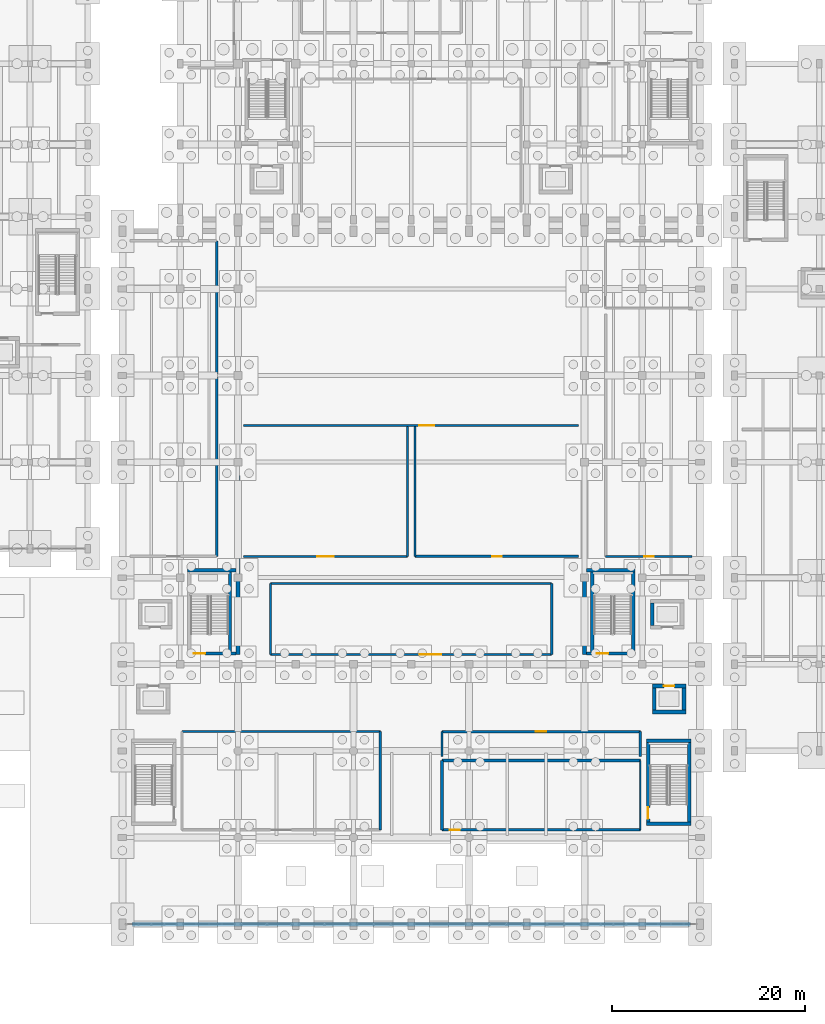
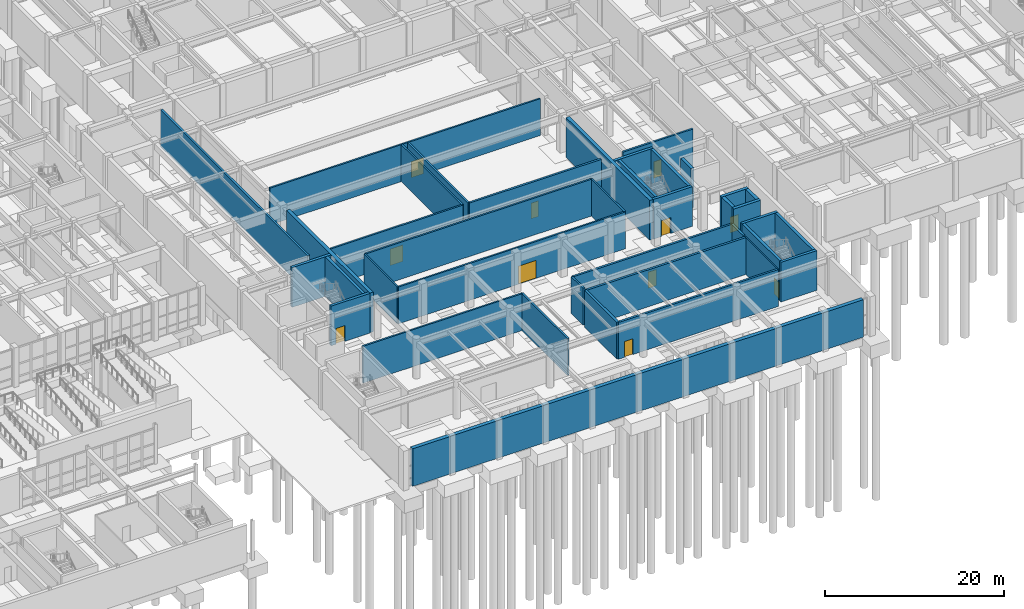
# One storey, part 49 of 69: 39 walls, 11 doors, 11 openings.
"""IFC4 building model written with IfcOpenShell, lengths in metres."""

from ifc_helpers import new_model, si_unit, direction, frame, frame_2d, origin, place, context, subcontext, project, spatial, rectangle, extrude, material, layer, layer_set, type_object, element, fill, save


model = new_model("IFC4")

# Units and contexts
model_context = context("Model", 3, precision=1e-05, world=origin(), true_north=direction((0.0, 1.0)))
body_context = subcontext(model_context, "Body", "Model", "MODEL_VIEW")
ifc_project = project(units=[si_unit("LENGTHUNIT", "METRE"), si_unit("AREAUNIT", "SQUARE_METRE"), si_unit("VOLUMEUNIT", "CUBIC_METRE"), si_unit("PLANEANGLEUNIT", "RADIAN"), si_unit("MASSUNIT", "GRAM", prefix="KILO")], contexts=[model_context])

# Site, building, storey
site_placement = place(None, origin())
site = spatial("IfcSite", under=ifc_project, at=site_placement, CompositionType="ELEMENT")
building_placement = place(site_placement, origin())
building = spatial("IfcBuilding", under=site, at=building_placement, Name="Vaelkrest Opera House", CompositionType="ELEMENT")
storey_placement = place(building_placement, frame((0.0, 0.0, -5.39990234375)))
storey = spatial("IfcBuildingStorey", under=building, at=storey_placement, Name="B1", CompositionType="ELEMENT", Elevation=-5.39990234375)

# Wall, opening, door
ifc_material_1 = material(Name="American black walnut acoustic timber", Category="wood")
ifc_layer_1 = layer(ifc_material_1, 0.2099609375)
ifc_layer_set_1 = layer_set([ifc_layer_1], Name="American black walnut acoustic timber")
wall_type_1 = type_object("IfcWallType", Name="PT07", PredefinedType="PARTITIONING", material=ifc_layer_set_1)
wall_1_placement = place(storey_placement, frame((-17.39990234375, -4.0, 0.0), z_axis=(0.0, 0.0, 1.0), x_axis=(1.0, 0.0, 0.0)))
wall_1 = element("IfcWall", 1, at=wall_1_placement, inside=storey, type_object=wall_type_1, Name="Interior partition PT-V1-B1-0001", PredefinedType="PARTITIONING", context=body_context, shape_type="SweptSolid", body=[
    extrude(rectangle(XDim=34.7998046875, YDim=0.2099609375, at=frame_2d((17.39990234375, 0.0))), origin(), (0.0, 0.0, 1.0), 5.02001953125),
])
opening_1_placement = place(wall_1_placement, frame((18.261962890625, 0.0, 0.0)))
opening_1 = element("IfcOpeningElement", 2, at=opening_1_placement, cuts=wall_1, Name="Opening D001", PredefinedType="OPENING", context=body_context, shape_type="SweptSolid", body=[
    extrude(rectangle(XDim=1.550048828125, YDim=2.199951171875, at=frame_2d((0.77490234375, 1.10009765625))), frame((0.0, 0.114990234375, 0.0), z_axis=(0.0, -1.0, 0.0), x_axis=(1.0, 0.0, 0.0)), (0.0, 0.0, 1.0), 0.22998046875),
])
door_type_1 = type_object("IfcDoorType", Name="DT13", OperationType="DOUBLE_DOOR_SINGLE_SWING", PredefinedType="DOOR", material=ifc_material_1)
door_1_placement = place(opening_1_placement, origin())
door_1 = element("IfcDoor", 3, at=door_1_placement, inside=storey, type_object=door_type_1, Name="Interior door D001 (Orchestra Pit)", OperationType="DOUBLE_DOOR_SINGLE_SWING", OverallHeight=2.199951171875, OverallWidth=1.550048828125, PredefinedType="DOOR", context=body_context, shape_type="SweptSolid", body=[
    extrude(rectangle(XDim=1.550048828125, YDim=2.199951171875, at=frame_2d((0.77490234375, 1.10009765625))), frame((0.0, 0.02490234375, 0.0), z_axis=(0.0, -1.0, 0.0), x_axis=(1.0, 0.0, 0.0)), (0.0, 0.0, 1.0), 0.050048828125),
])
fill(opening_1, door_1)

# Walls
wall_2_placement = place(storey_placement, frame((-0.39990234375, -17.60009765625, 0.0), z_axis=(0.0, 0.0, 1.0), x_axis=(0.0, 1.0, 0.0)))
element("IfcWall", 4, at=wall_2_placement, inside=storey, type_object=wall_type_1, Name="Interior partition PT-V1-B1-0003", PredefinedType="PARTITIONING", context=body_context, shape_type="SweptSolid", body=[
    extrude(rectangle(XDim=13.52001953125, YDim=0.2099609375, at=frame_2d((6.760009765625, 0.0))), origin(), (0.0, 0.0, 1.0), 5.02001953125),
])
wall_3_placement = place(storey_placement, frame((-23.800048828125, -35.800048828125, 0.0), z_axis=(0.0, 0.0, 1.0), x_axis=(1.0, 0.0, 0.0)))
element("IfcWall", 5, at=wall_3_placement, inside=storey, type_object=wall_type_1, Name="Interior partition PT-V1-B1-0007", PredefinedType="PARTITIONING", context=body_context, shape_type="SweptSolid", body=[
    extrude(rectangle(XDim=20.60009765625, YDim=0.2099609375, at=frame_2d((10.300048828125, 0.0))), origin(), (0.0, 0.0, 1.0), 5.02001953125),
])

# Wall, opening, door
wall_4_placement = place(storey_placement, frame((-14.60009765625, -27.800048828125, 0.0), z_axis=(0.0, 0.0, 1.0), x_axis=(1.0, 0.0, 0.0)))
wall_4 = element("IfcWall", 6, at=wall_4_placement, inside=storey, type_object=wall_type_1, Name="Interior partition PT-V1-B1-0025", PredefinedType="PARTITIONING", context=body_context, shape_type="SweptSolid", body=[
    extrude(rectangle(XDim=29.2001953125, YDim=0.2099609375, at=frame_2d((14.60009765625, 0.0))), origin(), (0.0, 0.0, 1.0), 5.02001953125),
])
opening_2_placement = place(wall_4_placement, frame((15.47509765625, 0.0, 0.0)))
opening_2 = element("IfcOpeningElement", 7, at=opening_2_placement, cuts=wall_4, Name="Opening D010", PredefinedType="OPENING", context=body_context, shape_type="SweptSolid", body=[
    extrude(rectangle(XDim=2.25, YDim=2.449951171875, at=frame_2d((1.125, 1.22509765625))), frame((0.0, 0.114990234375, 0.0), z_axis=(0.0, -1.0, 0.0), x_axis=(1.0, 0.0, 0.0)), (0.0, 0.0, 1.0), 0.22998046875),
])
door_type_2 = type_object("IfcDoorType", Name="DT26", OperationType="DOUBLE_DOOR_SINGLE_SWING", PredefinedType="DOOR", material=ifc_material_1)
door_2_placement = place(opening_2_placement, origin())
door_2 = element("IfcDoor", 8, at=door_2_placement, inside=storey, type_object=door_type_2, Name="Interior door D010 (Chorus Warm-Up Studio)", OperationType="DOUBLE_DOOR_SINGLE_SWING", OverallHeight=2.449951171875, OverallWidth=2.25, PredefinedType="DOOR", context=body_context, shape_type="SweptSolid", body=[
    extrude(rectangle(XDim=2.25, YDim=2.449951171875, at=frame_2d((1.125, 1.22509765625))), frame((0.0, 0.02490234375, 0.0), z_axis=(0.0, -1.0, 0.0), x_axis=(1.0, 0.0, 0.0)), (0.0, 0.0, 1.0), 0.050048828125),
])
fill(opening_2, door_2)

# Wall
wall_5_placement = place(storey_placement, frame((-14.60009765625, -27.800048828125, 0.0), z_axis=(0.0, 0.0, 1.0), x_axis=(0.0, 1.0, 0.0)))
element("IfcWall", 9, at=wall_5_placement, inside=storey, type_object=wall_type_1, Name="Interior partition PT-V1-B1-0027", PredefinedType="PARTITIONING", context=body_context, shape_type="SweptSolid", body=[
    extrude(rectangle(XDim=7.400146484375, YDim=0.2099609375, at=frame_2d((3.7001953125, 0.0))), origin(), (0.0, 0.0, 1.0), 5.02001953125),
])

# Wall, opening, door
ifc_layer_2 = layer(ifc_material_1, 0.22509765625)
ifc_layer_set_2 = layer_set([ifc_layer_2], Name="American black walnut acoustic timber")
wall_type_2 = type_object("IfcWallType", Name="PT08", PredefinedType="PARTITIONING", material=ifc_layer_set_2)
wall_6_placement = place(storey_placement, frame((-17.39990234375, -17.60009765625, 0.0), z_axis=(0.0, 0.0, 1.0), x_axis=(1.0, 0.0, 0.0)))
wall_6 = element("IfcWall", 10, at=wall_6_placement, inside=storey, type_object=wall_type_2, Name="Interior partition PT-V1-B1-0002", PredefinedType="PARTITIONING", context=body_context, shape_type="SweptSolid", body=[
    extrude(rectangle(XDim=17.0, YDim=0.22509765625, at=frame_2d((8.5, 0.0))), origin(), (0.0, 0.0, 1.0), 5.02001953125),
])
opening_3_placement = place(wall_6_placement, frame((7.64990234375, 0.0, 0.0)))
opening_3 = element("IfcOpeningElement", 11, at=opening_3_placement, cuts=wall_6, Name="Opening D002", PredefinedType="OPENING", context=body_context, shape_type="SweptSolid", body=[
    extrude(rectangle(XDim=1.699951171875, YDim=2.25, at=frame_2d((0.85009765625, 1.125))), frame((0.0, 0.12255859375, 0.0), z_axis=(0.0, -1.0, 0.0), x_axis=(1.0, 0.0, 0.0)), (0.0, 0.0, 1.0), 0.2451171875),
])
door_type_3 = type_object("IfcDoorType", Name="DT14", OperationType="DOUBLE_DOOR_SINGLE_SWING", PredefinedType="DOOR", material=ifc_material_1)
door_3_placement = place(opening_3_placement, origin())
door_3 = element("IfcDoor", 12, at=door_3_placement, inside=storey, type_object=door_type_3, Name="Interior door D002 (Musician Warm-Up Room)", OperationType="DOUBLE_DOOR_SINGLE_SWING", OverallHeight=2.25, OverallWidth=1.699951171875, PredefinedType="DOOR", context=body_context, shape_type="SweptSolid", body=[
    extrude(rectangle(XDim=1.699951171875, YDim=2.25, at=frame_2d((0.85009765625, 1.125))), frame((0.0, 0.02490234375, 0.0), z_axis=(0.0, -1.0, 0.0), x_axis=(1.0, 0.0, 0.0)), (0.0, 0.0, 1.0), 0.050048828125),
])
fill(opening_3, door_3)

# Walls
wall_7_placement = place(storey_placement, frame((-14.60009765625, -20.39990234375, 0.0), z_axis=(0.0, 0.0, 1.0), x_axis=(1.0, 0.0, 0.0)))
element("IfcWall", 13, at=wall_7_placement, inside=storey, type_object=wall_type_2, Name="Interior partition PT-V1-B1-0026", PredefinedType="PARTITIONING", context=body_context, shape_type="SweptSolid", body=[
    extrude(rectangle(XDim=29.2001953125, YDim=0.22509765625, at=frame_2d((14.60009765625, 0.0))), origin(), (0.0, 0.0, 1.0), 5.02001953125),
])
wall_8_placement = place(storey_placement, frame((14.60009765625, -27.800048828125, 0.0), z_axis=(0.0, 0.0, 1.0), x_axis=(0.0, 1.0, 0.0)))
element("IfcWall", 14, at=wall_8_placement, inside=storey, type_object=wall_type_2, Name="Interior partition PT-V1-B1-0028", PredefinedType="PARTITIONING", context=body_context, shape_type="SweptSolid", body=[
    extrude(rectangle(XDim=7.400146484375, YDim=0.22509765625, at=frame_2d((3.7001953125, 0.0))), origin(), (0.0, 0.0, 1.0), 5.02001953125),
])
ifc_material_2 = material(Name="Concrete C40/50", Category="concrete")
ifc_layer_3 = layer(ifc_material_2, 0.239990234375)
ifc_layer_set_3 = layer_set([ifc_layer_3], Name="Concrete C40/50")
wall_type_3 = type_object("IfcWallType", Name="PT09", PredefinedType="PARTITIONING", material=ifc_layer_set_3)
wall_9_placement = place(storey_placement, frame((0.39990234375, -17.60009765625, 0.0), z_axis=(0.0, 0.0, 1.0), x_axis=(0.0, 1.0, 0.0)))
element("IfcWall", 15, at=wall_9_placement, inside=storey, type_object=wall_type_3, Name="Interior partition PT-V1-B1-0005", PredefinedType="PARTITIONING", context=body_context, shape_type="SweptSolid", body=[
    extrude(rectangle(XDim=13.52001953125, YDim=0.239990234375, at=frame_2d((6.760009765625, 0.0))), origin(), (0.0, 0.0, 1.0), 5.02001953125),
])
wall_10_placement = place(storey_placement, frame((-3.199951171875, -46.0, 0.0), z_axis=(0.0, 0.0, 1.0), x_axis=(0.0, 1.0, 0.0)))
element("IfcWall", 16, at=wall_10_placement, inside=storey, type_object=wall_type_3, Name="Interior partition PT-V1-B1-0009", PredefinedType="PARTITIONING", context=body_context, shape_type="SweptSolid", body=[
    extrude(rectangle(XDim=10.199951171875, YDim=0.239990234375, at=frame_2d((5.10009765625, 0.0))), origin(), (0.0, 0.0, 1.0), 5.02001953125),
])
wall_11_placement = place(storey_placement, frame((3.199951171875, -38.39990234375, 0.0), z_axis=(0.0, 0.0, 1.0), x_axis=(0.0, 1.0, 0.0)))
element("IfcWall", 17, at=wall_11_placement, inside=storey, type_object=wall_type_3, Name="Interior partition PT-V1-B1-0015", PredefinedType="PARTITIONING", context=body_context, shape_type="SweptSolid", body=[
    extrude(rectangle(XDim=2.599853515625, YDim=0.239990234375, at=frame_2d((1.2998046875, 0.0))), origin(), (0.0, 0.0, 1.0), 5.02001953125),
])

# Wall, opening, door
wall_12_placement = place(storey_placement, frame((20.199951171875, -17.60009765625, 0.0), z_axis=(0.0, 0.0, 1.0), x_axis=(1.0, 0.0, 0.0)))
wall_12 = element("IfcWall", 18, at=wall_12_placement, inside=storey, type_object=wall_type_3, Name="Interior partition PT-V1-B1-0023", PredefinedType="PARTITIONING", context=body_context, shape_type="SweptSolid", body=[
    extrude(rectangle(XDim=9.0, YDim=0.239990234375, at=frame_2d((4.5, 0.0))), origin(), (0.0, 0.0, 1.0), 5.02001953125),
])
opening_4_placement = place(wall_12_placement, frame((4.0, 0.0, 0.0)))
opening_4 = element("IfcOpeningElement", 19, at=opening_4_placement, cuts=wall_12, Name="Opening D009", PredefinedType="OPENING", context=body_context, shape_type="SweptSolid", body=[
    extrude(rectangle(XDim=1.0, YDim=2.25, at=frame_2d((0.5, 1.125))), frame((0.0, 0.1298828125, 0.0), z_axis=(0.0, -1.0, 0.0), x_axis=(1.0, 0.0, 0.0)), (0.0, 0.0, 1.0), 0.260009765625),
])
door_type_4 = type_object("IfcDoorType", Name="DT10", OperationType="NOTDEFINED", PredefinedType="DOOR", material=ifc_material_1)
door_4_placement = place(opening_4_placement, origin())
door_4 = element("IfcDoor", 20, at=door_4_placement, inside=storey, type_object=door_type_4, Name="Interior door D009 (Prop Store)", OperationType="SINGLE_SWING_RIGHT", OverallHeight=2.25, OverallWidth=1.0, PredefinedType="DOOR", context=body_context, shape_type="SweptSolid", body=[
    extrude(rectangle(XDim=1.0, YDim=2.25, at=frame_2d((0.5, 1.125))), frame((0.0, 0.02490234375, 0.0), z_axis=(0.0, -1.0, 0.0), x_axis=(1.0, 0.0, 0.0)), (0.0, 0.0, 1.0), 0.050048828125),
])
fill(opening_4, door_4)

ifc_layer_4 = layer(ifc_material_2, 0.260009765625)
ifc_layer_set_4 = layer_set([ifc_layer_4], Name="Concrete C40/50")
wall_type_4 = type_object("IfcWallType", Name="PT10", PredefinedType="PARTITIONING", material=ifc_layer_set_4)
wall_13_placement = place(storey_placement, frame((0.39990234375, -17.60009765625, 0.0), z_axis=(0.0, 0.0, 1.0), x_axis=(1.0, 0.0, 0.0)))
wall_13 = element("IfcWall", 21, at=wall_13_placement, inside=storey, type_object=wall_type_4, Name="Interior partition PT-V1-B1-0004", PredefinedType="PARTITIONING", context=body_context, shape_type="SweptSolid", body=[
    extrude(rectangle(XDim=17.0, YDim=0.260009765625, at=frame_2d((8.5, 0.0))), origin(), (0.0, 0.0, 1.0), 5.02001953125),
])
opening_5_placement = place(wall_13_placement, frame((8.010009765625, 0.0, 0.0)))
opening_5 = element("IfcOpeningElement", 22, at=opening_5_placement, cuts=wall_13, Name="Opening D003", PredefinedType="OPENING", context=body_context, shape_type="SweptSolid", body=[
    extrude(rectangle(XDim=0.97998046875, YDim=2.14990234375, at=frame_2d((0.489990234375, 1.074951171875))), frame((0.0, 0.139892578125, 0.0), z_axis=(0.0, -1.0, 0.0), x_axis=(1.0, 0.0, 0.0)), (0.0, 0.0, 1.0), 0.280029296875),
])
door_type_5 = type_object("IfcDoorType", Name="DT03", OperationType="NOTDEFINED", PredefinedType="DOOR", material=ifc_material_1)
door_5_placement = place(opening_5_placement, origin())
door_5 = element("IfcDoor", 23, at=door_5_placement, inside=storey, type_object=door_type_5, Name="Interior door D003 (Instrument Store)", OperationType="SINGLE_SWING_LEFT", OverallHeight=2.14990234375, OverallWidth=0.97998046875, PredefinedType="DOOR", context=body_context, shape_type="SweptSolid", body=[
    extrude(rectangle(XDim=0.97998046875, YDim=2.14990234375, at=frame_2d((0.489990234375, 1.074951171875))), frame((0.0, 0.02490234375, 0.0), z_axis=(0.0, -1.0, 0.0), x_axis=(1.0, 0.0, 0.0)), (0.0, 0.0, 1.0), 0.050048828125),
])
fill(opening_5, door_5)

wall_14_placement = place(storey_placement, frame((3.199951171875, -46.0, 0.0), z_axis=(0.0, 0.0, 1.0), x_axis=(1.0, 0.0, 0.0)))
wall_14 = element("IfcWall", 24, at=wall_14_placement, inside=storey, type_object=wall_type_4, Name="Interior partition PT-V1-B1-0010", PredefinedType="PARTITIONING", context=body_context, shape_type="SweptSolid", body=[
    extrude(rectangle(XDim=20.60009765625, YDim=0.260009765625, at=frame_2d((10.300048828125, 0.0))), origin(), (0.0, 0.0, 1.0), 5.02001953125),
])
opening_6_placement = place(wall_14_placement, frame((0.7939453125, 0.0, 0.0)))
opening_6 = element("IfcOpeningElement", 25, at=opening_6_placement, cuts=wall_14, Name="Opening D005", PredefinedType="OPENING", context=body_context, shape_type="SweptSolid", body=[
    extrude(rectangle(XDim=1.06005859375, YDim=2.14990234375, at=frame_2d((0.530029296875, 1.074951171875))), frame((0.0, 0.139892578125, 0.0), z_axis=(0.0, -1.0, 0.0), x_axis=(1.0, 0.0, 0.0)), (0.0, 0.0, 1.0), 0.280029296875),
])
door_type_6 = type_object("IfcDoorType", Name="DT05", OperationType="NOTDEFINED", PredefinedType="DOOR", material=ifc_material_1)
door_6_placement = place(opening_6_placement, origin())
door_6 = element("IfcDoor", 26, at=door_6_placement, inside=storey, type_object=door_type_6, Name="Interior door D005 (Cloakroom)", OperationType="SINGLE_SWING_RIGHT", OverallHeight=2.14990234375, OverallWidth=1.06005859375, PredefinedType="DOOR", context=body_context, shape_type="SweptSolid", body=[
    extrude(rectangle(XDim=1.06005859375, YDim=2.14990234375, at=frame_2d((0.530029296875, 1.074951171875))), frame((0.0, 0.02490234375, 0.0), z_axis=(0.0, -1.0, 0.0), x_axis=(1.0, 0.0, 0.0)), (0.0, 0.0, 1.0), 0.050048828125),
])
fill(opening_6, door_6)

wall_15_placement = place(storey_placement, frame((3.199951171875, -35.800048828125, 0.0), z_axis=(0.0, 0.0, 1.0), x_axis=(1.0, 0.0, 0.0)))
wall_15 = element("IfcWall", 27, at=wall_15_placement, inside=storey, type_object=wall_type_4, Name="Interior partition PT-V1-B1-0014", PredefinedType="PARTITIONING", context=body_context, shape_type="SweptSolid", body=[
    extrude(rectangle(XDim=20.60009765625, YDim=0.260009765625, at=frame_2d((10.300048828125, 0.0))), origin(), (0.0, 0.0, 1.0), 5.02001953125),
])
opening_7_placement = place(wall_15_placement, frame((9.75, 0.0, 0.0)))
opening_7 = element("IfcOpeningElement", 28, at=opening_7_placement, cuts=wall_15, Name="Opening D006", PredefinedType="OPENING", context=body_context, shape_type="SweptSolid", body=[
    extrude(rectangle(XDim=1.10009765625, YDim=2.199951171875, at=frame_2d((0.550048828125, 1.10009765625))), frame((0.0, 0.139892578125, 0.0), z_axis=(0.0, -1.0, 0.0), x_axis=(1.0, 0.0, 0.0)), (0.0, 0.0, 1.0), 0.280029296875),
])
door_type_7 = type_object("IfcDoorType", Name="DT06", OperationType="NOTDEFINED", PredefinedType="DOOR", material=ifc_material_1)
door_7_placement = place(opening_7_placement, origin())
door_7 = element("IfcDoor", 29, at=door_7_placement, inside=storey, type_object=door_type_7, Name="Interior door D006 (MEP Plant Room)", OperationType="SINGLE_SWING_LEFT", OverallHeight=2.199951171875, OverallWidth=1.10009765625, PredefinedType="DOOR", context=body_context, shape_type="SweptSolid", body=[
    extrude(rectangle(XDim=1.10009765625, YDim=2.199951171875, at=frame_2d((0.550048828125, 1.10009765625))), frame((0.0, 0.02490234375, 0.0), z_axis=(0.0, -1.0, 0.0), x_axis=(1.0, 0.0, 0.0)), (0.0, 0.0, 1.0), 0.050048828125),
])
fill(opening_7, door_7)

# Walls
wall_16_placement = place(storey_placement, frame((23.800048828125, -38.39990234375, 0.0), z_axis=(0.0, 0.0, 1.0), x_axis=(0.0, 1.0, 0.0)))
element("IfcWall", 30, at=wall_16_placement, inside=storey, type_object=wall_type_4, Name="Interior partition PT-V1-B1-0016", PredefinedType="PARTITIONING", context=body_context, shape_type="SweptSolid", body=[
    extrude(rectangle(XDim=2.599853515625, YDim=0.260009765625, at=frame_2d((1.2998046875, 0.0))), origin(), (0.0, 0.0, 1.0), 5.02001953125),
])
wall_17_placement = place(storey_placement, frame((-20.199951171875, -17.60009765625, 0.0), z_axis=(0.0, 0.0, 1.0), x_axis=(0.0, 1.0, 0.0)))
element("IfcWall", 31, at=wall_17_placement, inside=storey, type_object=wall_type_4, Name="Interior partition PT-V1-B1-0022", PredefinedType="PARTITIONING", context=body_context, shape_type="SweptSolid", body=[
    extrude(rectangle(XDim=32.800048828125, YDim=0.260009765625, at=frame_2d((16.39990234375, 0.0))), origin(), (0.0, 0.0, 1.0), 5.02001953125),
])
ifc_layer_5 = layer(ifc_material_2, 0.280029296875)
ifc_layer_set_5 = layer_set([ifc_layer_5], Name="Concrete C40/50")
wall_type_5 = type_object("IfcWallType", Name="PT11", PredefinedType="PARTITIONING", material=ifc_layer_set_5)
wall_18_placement = place(storey_placement, frame((3.199951171875, -38.800048828125, 0.0), z_axis=(0.0, 0.0, 1.0), x_axis=(1.0, 0.0, 0.0)))
element("IfcWall", 32, at=wall_18_placement, inside=storey, type_object=wall_type_5, Name="Interior partition PT-V1-B1-0011", PredefinedType="PARTITIONING", context=body_context, shape_type="SweptSolid", body=[
    extrude(rectangle(XDim=20.60009765625, YDim=0.280029296875, at=frame_2d((10.300048828125, 0.0))), origin(), (0.0, 0.0, 1.0), 5.02001953125),
])
ifc_layer_6 = layer(ifc_material_2, 0.304931640625)
ifc_layer_set_6 = layer_set([ifc_layer_6], Name="Concrete C40/50")
wall_type_6 = type_object("IfcWallType", Name="PT12", PredefinedType="PARTITIONING", material=ifc_layer_set_6)
wall_19_placement = place(storey_placement, frame((3.199951171875, -46.0, 0.0), z_axis=(0.0, 0.0, 1.0), x_axis=(0.0, 1.0, 0.0)))
element("IfcWall", 33, at=wall_19_placement, inside=storey, type_object=wall_type_6, Name="Interior partition PT-V1-B1-0012", PredefinedType="PARTITIONING", context=body_context, shape_type="SweptSolid", body=[
    extrude(rectangle(XDim=7.199951171875, YDim=0.304931640625, at=frame_2d((3.60009765625, 0.0))), origin(), (0.0, 0.0, 1.0), 5.02001953125),
])
ifc_material_3 = material(Name="Gypsum acoustic board", Category="gypsum")
ifc_layer_7 = layer(ifc_material_3, 0.14501953125)
ifc_layer_set_7 = layer_set([ifc_layer_7], Name="Gypsum acoustic board")
wall_type_7 = type_object("IfcWallType", Name="PT13", PredefinedType="PARTITIONING", material=ifc_layer_set_7)
wall_20_placement = place(storey_placement, frame((23.800048828125, -46.0, 0.0), z_axis=(0.0, 0.0, 1.0), x_axis=(0.0, 1.0, 0.0)))
element("IfcWall", 34, at=wall_20_placement, inside=storey, type_object=wall_type_7, Name="Interior partition PT-V1-B1-0013", PredefinedType="PARTITIONING", context=body_context, shape_type="SweptSolid", body=[
    extrude(rectangle(XDim=7.199951171875, YDim=0.14501953125, at=frame_2d((3.60009765625, 0.0))), origin(), (0.0, 0.0, 1.0), 5.02001953125),
])
ifc_layer_8 = layer(ifc_material_2, 0.47998046875)
ifc_layer_set_8 = layer_set([ifc_layer_8], Name="Concrete C40/50")
wall_type_8 = type_object("IfcWallType", Name="RW02", PredefinedType="USERDEFINED", material=ifc_layer_set_8)
wall_21_placement = place(storey_placement, frame((-29.0, -55.800048828125, 0.0), z_axis=(0.0, 0.0, 1.0), x_axis=(1.0, 0.0, 0.0)))
element("IfcWall", 35, at=wall_21_placement, inside=storey, type_object=wall_type_8, Name="Retaining wall RW-V1-S", ObjectType="RETAINING WALL", PredefinedType="USERDEFINED", context=body_context, shape_type="SweptSolid", body=[
    extrude(rectangle(XDim=58.0, YDim=0.47998046875, at=frame_2d((29.0, 0.0))), origin(), (0.0, 0.0, 1.0), 5.10986328125),
])

# Wall, opening, door
ifc_material_4 = material(Name="Concrete C50/60", Category="concrete")
ifc_layer_9 = layer(ifc_material_4, 0.35009765625)
ifc_layer_set_9 = layer_set([ifc_layer_9], Name="Concrete C50/60")
wall_type_9 = type_object("IfcWallType", Name="SW01", PredefinedType="SHEAR", material=ifc_layer_set_9)
wall_22_placement = place(storey_placement, frame((-18.22509765625, -27.675048828125, 0.0), z_axis=(0.0, 0.0, 1.0), x_axis=(-1.0, 0.0, 0.0)))
wall_22 = element("IfcWall", 36, at=wall_22_placement, inside=storey, type_object=wall_type_9, Name="Stair core ST01 wall B1 S", PredefinedType="SHEAR", context=body_context, shape_type="SweptSolid", body=[
    extrude(rectangle(XDim=5.02490234375, YDim=0.35009765625, at=frame_2d((2.512451171875, 0.0))), origin(), (0.0, 0.0, 1.0), 5.39990234375),
])
opening_8_placement = place(wall_22_placement, frame((3.195068359375, 0.0, 0.0)))
opening_8 = element("IfcOpeningElement", 37, at=opening_8_placement, cuts=wall_22, Name="Opening SD-ST01-B1", PredefinedType="OPENING", context=body_context, shape_type="SweptSolid", body=[
    extrude(rectangle(XDim=1.179931640625, YDim=2.14990234375, at=frame_2d((0.58984375, 1.074951171875))), frame((0.0, 0.18505859375, 0.0), z_axis=(0.0, -1.0, 0.0), x_axis=(1.0, 0.0, 0.0)), (0.0, 0.0, 1.0), 0.3701171875),
])
door_type_8 = type_object("IfcDoorType", Name="DT07", OperationType="NOTDEFINED", PredefinedType="DOOR", material=ifc_material_1)
door_8_placement = place(opening_8_placement, origin())
door_8 = element("IfcDoor", 38, at=door_8_placement, inside=storey, type_object=door_type_8, Name="Protected stair door SD-ST01-B1", OperationType="SINGLE_SWING_RIGHT", OverallHeight=2.14990234375, OverallWidth=1.179931640625, PredefinedType="DOOR", context=body_context, shape_type="SweptSolid", body=[
    extrude(rectangle(XDim=1.179931640625, YDim=2.14990234375, at=frame_2d((0.58984375, 1.074951171875))), frame((0.0, 0.02490234375, 0.0), z_axis=(0.0, -1.0, 0.0), x_axis=(1.0, 0.0, 0.0)), (0.0, 0.0, 1.0), 0.050048828125),
])
fill(opening_8, door_8)

# Walls
wall_23_placement = place(storey_placement, frame((-23.25, -19.02490234375, 0.0), z_axis=(0.0, 0.0, 1.0), x_axis=(1.0, 0.0, 0.0)))
element("IfcWall", 39, at=wall_23_placement, inside=storey, type_object=wall_type_9, Name="Stair core ST01 wall B1 N", PredefinedType="SHEAR", context=body_context, shape_type="SweptSolid", body=[
    extrude(rectangle(XDim=5.02490234375, YDim=0.35009765625, at=frame_2d((2.512451171875, 0.0))), origin(), (0.0, 0.0, 1.0), 5.39990234375),
])
wall_24_placement = place(storey_placement, frame((-18.824951171875, -19.199951171875, 0.0), z_axis=(0.0, 0.0, 1.0), x_axis=(0.0, -1.0, 0.0)))
element("IfcWall", 40, at=wall_24_placement, inside=storey, type_object=wall_type_9, Name="Stair core ST01 wall B1 E", PredefinedType="SHEAR", context=body_context, shape_type="SweptSolid", body=[
    extrude(rectangle(XDim=8.300048828125, YDim=0.35009765625, at=frame_2d((4.14990234375, 0.0))), origin(), (0.0, 0.0, 1.0), 5.39990234375),
])

# Wall, opening, door
wall_25_placement = place(storey_placement, frame((23.25, -27.675048828125, 0.0), z_axis=(0.0, 0.0, 1.0), x_axis=(-1.0, 0.0, 0.0)))
wall_25 = element("IfcWall", 41, at=wall_25_placement, inside=storey, type_object=wall_type_9, Name="Stair core ST02 wall B1 S", PredefinedType="SHEAR", context=body_context, shape_type="SweptSolid", body=[
    extrude(rectangle(XDim=5.02490234375, YDim=0.35009765625, at=frame_2d((2.512451171875, 0.0))), origin(), (0.0, 0.0, 1.0), 5.39990234375),
])
opening_9_placement = place(wall_25_placement, frame((2.77001953125, 0.0, 0.0)))
opening_9 = element("IfcOpeningElement", 42, at=opening_9_placement, cuts=wall_25, Name="Opening SD-ST02-B1", PredefinedType="OPENING", context=body_context, shape_type="SweptSolid", body=[
    extrude(rectangle(XDim=1.179931640625, YDim=2.14990234375, at=frame_2d((0.58984375, 1.074951171875))), frame((0.0, 0.18505859375, 0.0), z_axis=(0.0, -1.0, 0.0), x_axis=(1.0, 0.0, 0.0)), (0.0, 0.0, 1.0), 0.3701171875),
])
door_9_placement = place(opening_9_placement, origin())
door_9 = element("IfcDoor", 43, at=door_9_placement, inside=storey, type_object=door_type_8, Name="Protected stair door SD-ST02-B1", OperationType="SINGLE_SWING_LEFT", OverallHeight=2.14990234375, OverallWidth=1.179931640625, PredefinedType="DOOR", context=body_context, shape_type="SweptSolid", body=[
    extrude(rectangle(XDim=1.179931640625, YDim=2.14990234375, at=frame_2d((0.58984375, 1.074951171875))), frame((0.0, 0.02490234375, 0.0), z_axis=(0.0, -1.0, 0.0), x_axis=(1.0, 0.0, 0.0)), (0.0, 0.0, 1.0), 0.050048828125),
])
fill(opening_9, door_9)

# Walls
wall_26_placement = place(storey_placement, frame((18.824951171875, -27.5, 0.0), z_axis=(0.0, 0.0, 1.0), x_axis=(0.0, 1.0, 0.0)))
element("IfcWall", 44, at=wall_26_placement, inside=storey, type_object=wall_type_9, Name="Stair core ST02 wall B1 W", PredefinedType="SHEAR", context=body_context, shape_type="SweptSolid", body=[
    extrude(rectangle(XDim=8.300048828125, YDim=0.35009765625, at=frame_2d((4.14990234375, 0.0))), origin(), (0.0, 0.0, 1.0), 5.39990234375),
])
wall_27_placement = place(storey_placement, frame((18.22509765625, -19.02490234375, 0.0), z_axis=(0.0, 0.0, 1.0), x_axis=(1.0, 0.0, 0.0)))
element("IfcWall", 45, at=wall_27_placement, inside=storey, type_object=wall_type_9, Name="Stair core ST02 wall B1 N", PredefinedType="SHEAR", context=body_context, shape_type="SweptSolid", body=[
    extrude(rectangle(XDim=5.02490234375, YDim=0.35009765625, at=frame_2d((2.512451171875, 0.0))), origin(), (0.0, 0.0, 1.0), 5.39990234375),
])
wall_28_placement = place(storey_placement, frame((23.074951171875, -19.199951171875, 0.0), z_axis=(0.0, 0.0, 1.0), x_axis=(0.0, -1.0, 0.0)))
element("IfcWall", 46, at=wall_28_placement, inside=storey, type_object=wall_type_9, Name="Stair core ST02 wall B1 E", PredefinedType="SHEAR", context=body_context, shape_type="SweptSolid", body=[
    extrude(rectangle(XDim=8.300048828125, YDim=0.35009765625, at=frame_2d((4.14990234375, 0.0))), origin(), (0.0, 0.0, 1.0), 5.39990234375),
])
wall_29_placement = place(storey_placement, frame((29.050048828125, -45.375, 0.0), z_axis=(0.0, 0.0, 1.0), x_axis=(-1.0, 0.0, 0.0)))
element("IfcWall", 47, at=wall_29_placement, inside=storey, type_object=wall_type_9, Name="Stair core ST04 wall B1 S", PredefinedType="SHEAR", context=body_context, shape_type="SweptSolid", body=[
    extrude(rectangle(XDim=4.60009765625, YDim=0.35009765625, at=frame_2d((2.300048828125, 0.0))), origin(), (0.0, 0.0, 1.0), 5.39990234375),
])

# Wall, opening, door
wall_30_placement = place(storey_placement, frame((24.625, -45.199951171875, 0.0), z_axis=(0.0, 0.0, 1.0), x_axis=(0.0, 1.0, 0.0)))
wall_30 = element("IfcWall", 48, at=wall_30_placement, inside=storey, type_object=wall_type_9, Name="Stair core ST04 wall B1 W", PredefinedType="SHEAR", context=body_context, shape_type="SweptSolid", body=[
    extrude(rectangle(XDim=8.300048828125, YDim=0.35009765625, at=frame_2d((4.14990234375, 0.0))), origin(), (0.0, 0.0, 1.0), 5.39990234375),
])
opening_10_placement = place(wall_30_placement, frame((0.35009765625, 0.0, 0.0)))
opening_10 = element("IfcOpeningElement", 49, at=opening_10_placement, cuts=wall_30, Name="Opening SD-ST04-B1", PredefinedType="OPENING", context=body_context, shape_type="SweptSolid", body=[
    extrude(rectangle(XDim=1.179931640625, YDim=2.14990234375, at=frame_2d((0.58984375, 1.074951171875))), frame((0.0, 0.18505859375, 0.0), z_axis=(0.0, -1.0, 0.0), x_axis=(1.0, 0.0, 0.0)), (0.0, 0.0, 1.0), 0.3701171875),
])
door_10_placement = place(opening_10_placement, origin())
door_10 = element("IfcDoor", 50, at=door_10_placement, inside=storey, type_object=door_type_8, Name="Protected stair door SD-ST04-B1", OperationType="SINGLE_SWING_LEFT", OverallHeight=2.14990234375, OverallWidth=1.179931640625, PredefinedType="DOOR", context=body_context, shape_type="SweptSolid", body=[
    extrude(rectangle(XDim=1.179931640625, YDim=2.14990234375, at=frame_2d((0.58984375, 1.074951171875))), frame((0.0, 0.02490234375, 0.0), z_axis=(0.0, -1.0, 0.0), x_axis=(1.0, 0.0, 0.0)), (0.0, 0.0, 1.0), 0.050048828125),
])
fill(opening_10, door_10)

# Walls
wall_31_placement = place(storey_placement, frame((24.449951171875, -36.72509765625, 0.0), z_axis=(0.0, 0.0, 1.0), x_axis=(1.0, 0.0, 0.0)))
element("IfcWall", 51, at=wall_31_placement, inside=storey, type_object=wall_type_9, Name="Stair core ST04 wall B1 N", PredefinedType="SHEAR", context=body_context, shape_type="SweptSolid", body=[
    extrude(rectangle(XDim=4.60009765625, YDim=0.35009765625, at=frame_2d((2.300048828125, 0.0))), origin(), (0.0, 0.0, 1.0), 5.39990234375),
])
wall_32_placement = place(storey_placement, frame((28.875, -36.89990234375, 0.0), z_axis=(0.0, 0.0, 1.0), x_axis=(0.0, -1.0, 0.0)))
element("IfcWall", 52, at=wall_32_placement, inside=storey, type_object=wall_type_9, Name="Stair core ST04 wall B1 E", PredefinedType="SHEAR", context=body_context, shape_type="SweptSolid", body=[
    extrude(rectangle(XDim=8.300048828125, YDim=0.35009765625, at=frame_2d((4.14990234375, 0.0))), origin(), (0.0, 0.0, 1.0), 5.39990234375),
])
ifc_layer_10 = layer(ifc_material_4, 0.389892578125)
ifc_layer_set_10 = layer_set([ifc_layer_10], Name="Concrete C50/60")
wall_type_10 = type_object("IfcWallType", Name="SW02", PredefinedType="SHEAR", material=ifc_layer_set_10)
wall_33_placement = place(storey_placement, frame((25.054931640625, -24.75, 0.0), z_axis=(0.0, 0.0, 1.0), x_axis=(0.0, 1.0, 0.0)))
element("IfcWall", 53, at=wall_33_placement, inside=storey, type_object=wall_type_10, Name="Lift shaft LP02 wall B1 W", PredefinedType="SHEAR", context=body_context, shape_type="SweptSolid", body=[
    extrude(rectangle(XDim=2.300048828125, YDim=0.389892578125, at=frame_2d((1.14990234375, 0.0))), origin(), (0.0, 0.0, 1.0), 5.39990234375),
])
wall_34_placement = place(storey_placement, frame((28.5400390625, -33.7451171875, 0.0), z_axis=(0.0, 0.0, 1.0), x_axis=(-1.0, 0.0, 0.0)))
element("IfcWall", 54, at=wall_34_placement, inside=storey, type_object=wall_type_10, Name="Lift shaft LP04 wall B1 S", PredefinedType="SHEAR", context=body_context, shape_type="SweptSolid", body=[
    extrude(rectangle(XDim=3.47998046875, YDim=0.389892578125, at=frame_2d((1.739990234375, 0.0))), origin(), (0.0, 0.0, 1.0), 5.39990234375),
])

# Wall, opening, door
wall_35_placement = place(storey_placement, frame((25.06005859375, -31.054931640625, 0.0), z_axis=(0.0, 0.0, 1.0), x_axis=(1.0, 0.0, 0.0)))
wall_35 = element("IfcWall", 55, at=wall_35_placement, inside=storey, type_object=wall_type_10, Name="Lift shaft LP04 wall B1 N", PredefinedType="SHEAR", context=body_context, shape_type="SweptSolid", body=[
    extrude(rectangle(XDim=3.47998046875, YDim=0.389892578125, at=frame_2d((1.739990234375, 0.0))), origin(), (0.0, 0.0, 1.0), 5.39990234375),
])
opening_11_placement = place(wall_35_placement, frame((1.18994140625, 0.0, 0.0)))
opening_11 = element("IfcOpeningElement", 56, at=opening_11_placement, cuts=wall_35, Name="Opening LD-LP04-B1", PredefinedType="OPENING", context=body_context, shape_type="SweptSolid", body=[
    extrude(rectangle(XDim=1.10009765625, YDim=2.14990234375, at=frame_2d((0.550048828125, 1.074951171875))), frame((0.0, 0.204833984375, 0.0), z_axis=(0.0, -1.0, 0.0), x_axis=(1.0, 0.0, 0.0)), (0.0, 0.0, 1.0), 0.409912109375),
])
ifc_material_5 = material(Name="Dark bronze anodized aluminium", Category="aluminium")
door_type_9 = type_object("IfcDoorType", Name="LDT01", OperationType="SLIDING_TO_LEFT", PredefinedType="DOOR", material=ifc_material_5)
door_11_placement = place(opening_11_placement, origin())
door_11 = element("IfcDoor", 57, at=door_11_placement, inside=storey, type_object=door_type_9, Name="Lift landing sliding door LD-LP04-B1", OperationType="SLIDING_TO_LEFT", OverallHeight=2.14990234375, OverallWidth=1.10009765625, PredefinedType="DOOR", context=body_context, shape_type="SweptSolid", body=[
    extrude(rectangle(XDim=1.10009765625, YDim=2.14990234375, at=frame_2d((0.550048828125, 1.074951171875))), frame((0.0, 0.02490234375, 0.0), z_axis=(0.0, -1.0, 0.0), x_axis=(1.0, 0.0, 0.0)), (0.0, 0.0, 1.0), 0.050048828125),
])
fill(opening_11, door_11)

# Walls
for number, where, z_axis, x_axis, name in (
    (58, (25.2548828125, -33.550048828125, 0.0), (0.0, 0.0, 1.0), (0.0, 1.0, 0.0), "Lift shaft LP04 wall B1 W"),
    (59, (28.344970703125, -31.25, 0.0), (0.0, 0.0, 1.0), (0.0, -1.0, 0.0), "Lift shaft LP04 wall B1 E"),
):
    element("IfcWall", number, at=place(storey_placement, frame(where, z_axis=z_axis, x_axis=x_axis)), inside=storey, type_object=wall_type_10, Name=name, PredefinedType="SHEAR", context=body_context, shape_type="SweptSolid", body=[
        extrude(rectangle(XDim=2.300048828125, YDim=0.389892578125, at=frame_2d((1.14990234375, 0.0))), origin(), (0.0, 0.0, 1.0), 5.39990234375),
    ])
ifc_layer_11 = layer(ifc_material_4, 0.449951171875)
ifc_layer_set_11 = layer_set([ifc_layer_11], Name="Concrete C50/60")
wall_type_11 = type_object("IfcWallType", Name="SW03", PredefinedType="SHEAR", material=ifc_layer_set_11)
for number, where, z_axis, x_axis, name in (
    (60, (-18.0, -27.800048828125, 0.0), (0.0, 0.0, 1.0), (0.0, 1.0, 0.0), "Auditorium shell wall W1 B1"),
    (61, (18.0, -27.800048828125, 0.0), (0.0, 0.0, 1.0), (0.0, 1.0, 0.0), "Auditorium shell wall E1 B1"),
):
    element("IfcWall", number, at=place(storey_placement, frame(where, z_axis=z_axis, x_axis=x_axis)), inside=storey, type_object=wall_type_11, Name=name, PredefinedType="SHEAR", context=body_context, shape_type="SweptSolid", body=[
        extrude(rectangle(XDim=18.60009765625, YDim=0.449951171875, at=frame_2d((9.300048828125, 0.0))), origin(), (0.0, 0.0, 1.0), 5.39990234375),
    ])

save(model, "model.ifc")
